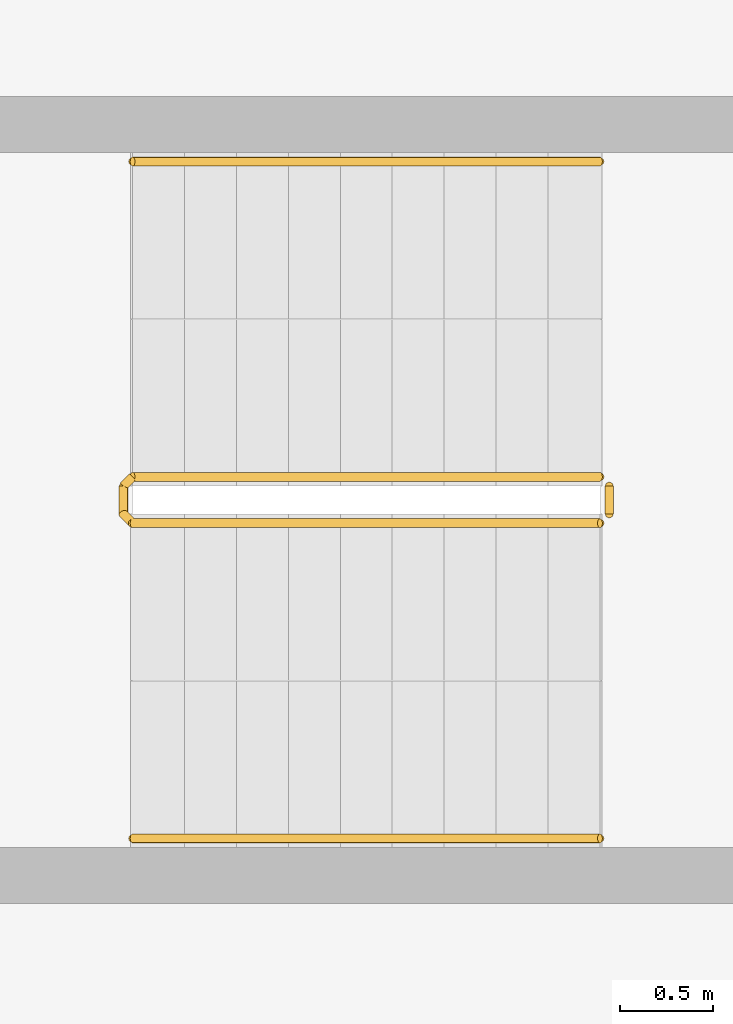
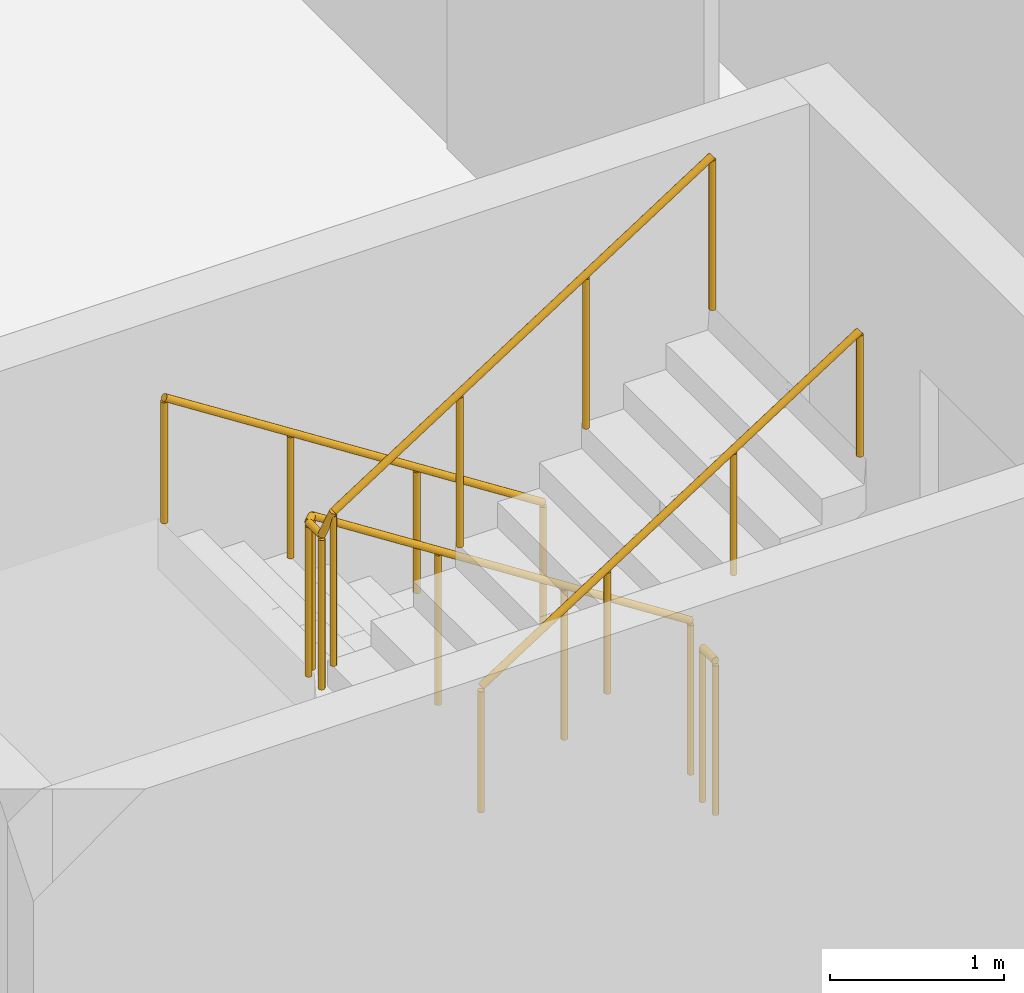
# One storey, part 22 of 25: 4 railings.
"""IFC4 building model written with IfcOpenShell, lengths in metres."""

from ifc_helpers import new_model, si_unit, direction, frame, origin, origin_2d, place, context, subcontext, project, spatial, circle, extrude, material, type_object, element, save


model = new_model("IFC4")

# Units and contexts
model_context = context("Model", 3, precision=1e-05, world=origin(), true_north=direction((0.0, 1.0)))
body_context = subcontext(model_context, "Body", "Model", "MODEL_VIEW")
ifc_project = project(units=[si_unit("LENGTHUNIT", "METRE"), si_unit("AREAUNIT", "SQUARE_METRE"), si_unit("VOLUMEUNIT", "CUBIC_METRE"), si_unit("PLANEANGLEUNIT", "RADIAN"), si_unit("MASSUNIT", "GRAM", prefix="KILO")], contexts=[model_context])

# Site, building, storey
site_placement = place(None, origin())
site = spatial("IfcSite", under=ifc_project, at=site_placement, CompositionType="ELEMENT")
building_placement = place(site_placement, origin())
building = spatial("IfcBuilding", under=site, at=building_placement, Name="Wharfspan Tower", CompositionType="ELEMENT")
storey_placement = place(building_placement, frame((0.0, 0.0, 129.100098)))
storey = spatial("IfcBuildingStorey", under=building, at=storey_placement, Name="L30", CompositionType="ELEMENT", Elevation=129.100098)

# Railings
ifc_material = material(Name="Steel S355J2", Category="steel")
railing_type_1 = type_object("IfcRailingType", Name="Stair guard 1100", PredefinedType="GUARDRAIL", material=ifc_material)
railing_1_placement = place(storey_placement, frame((13.899902, 22.824951, 0.179932)))
element("IfcRailing", 1, at=railing_1_placement, inside=storey, type_object=railing_type_1, Name="L30 ST3 stair guard 1", PredefinedType="GUARDRAIL", context=body_context, shape_type="SweptSolid", body=[
    extrude(circle(Radius=0.023926, at=origin_2d()), frame((0.0, 0.0, 1.076172), z_axis=(-0.8412, 0.0, 0.540725), x_axis=(0.0, -1.0, 0.0)), (0.0, 0.0, 1.0), 2.99585),
    extrude(circle(Radius=0.023926, at=origin_2d()), frame((-2.52002, 0.0, 2.695801), z_axis=(-0.705376, -0.708834, 0.0), x_axis=(0.708834, -0.705376, 0.0)), (0.0, 0.0, 1.0), 0.070557),
    extrude(circle(Radius=0.023926, at=origin_2d()), frame((-2.569824, -0.050049, 2.695801), z_axis=(0.0, -1.0, 0.0), x_axis=(1.0, 0.0, 0.0)), (0.0, 0.0, 1.0), 0.149902),
    extrude(circle(Radius=0.023926, at=origin_2d()), frame((-2.569824, -0.199951, 2.695801), z_axis=(0.257366, -0.258628, 0.931061), x_axis=(0.708838, 0.705372, -2e-06)), (0.0, 0.0, 1.0), 0.193604),
    extrude(circle(Radius=0.023926, at=origin_2d()), frame((-2.52002, -0.25, 2.875977), z_axis=(0.8412, 0.0, 0.540725), x_axis=(0.0, 1.0, 0.0)), (0.0, 0.0, 1.0), 2.99585),
    extrude(circle(Radius=0.020996, at=origin_2d()), origin(), (0.0, 0.0, 1.0), 1.052002),
    extrude(circle(Radius=0.020996, at=origin_2d()), frame((-0.840088, 0.0, 0.540039)), (0.0, 0.0, 1.0), 1.052002),
    extrude(circle(Radius=0.020996, at=origin_2d()), frame((-1.679932, 0.0, 1.079834)), (0.0, 0.0, 1.0), 1.052002),
    extrude(circle(Radius=0.020996, at=origin_2d()), frame((-2.52002, 0.0, 1.619873)), (0.0, 0.0, 1.0), 1.052002),
    extrude(circle(Radius=0.020996, at=origin_2d()), frame((-2.569824, -0.050049, 1.619873)), (0.0, 0.0, 1.0), 1.052002),
    extrude(circle(Radius=0.020996, at=origin_2d()), frame((-2.569824, -0.199951, 1.619873)), (0.0, 0.0, 1.0), 1.052002),
    extrude(circle(Radius=0.020996, at=origin_2d()), frame((-2.52002, -0.25, 1.800049)), (0.0, 0.0, 1.0), 1.052002),
    extrude(circle(Radius=0.020996, at=origin_2d()), frame((-1.679932, -0.25, 2.340088)), (0.0, 0.0, 1.0), 1.052002),
    extrude(circle(Radius=0.020996, at=origin_2d()), frame((-0.840088, -0.25, 2.879883)), (0.0, 0.0, 1.0), 1.052002),
    extrude(circle(Radius=0.020996, at=origin_2d()), frame((0.0, -0.25, 3.419922)), (0.0, 0.0, 1.0), 1.052002),
])
railing_2_placement = place(storey_placement, frame((13.949951, 22.774902, 0.0)))
element("IfcRailing", 2, at=railing_2_placement, inside=storey, type_object=railing_type_1, Name="L30 ST3 stair guard 2", PredefinedType="GUARDRAIL", context=body_context, shape_type="SweptSolid", body=[
    extrude(circle(Radius=0.023926, at=origin_2d()), frame((0.0, 0.0, 1.076172), z_axis=(0.0, -1.0, 0.0), x_axis=(1.0, 0.0, 0.0)), (0.0, 0.0, 1.0), 0.149902),
    extrude(circle(Radius=0.020996, at=origin_2d()), origin(), (0.0, 0.0, 1.0), 1.052002),
    extrude(circle(Radius=0.020996, at=origin_2d()), frame((0.0, -0.149902, 0.0)), (0.0, 0.0, 1.0), 1.052002),
])
railing_type_2 = type_object("IfcRailingType", Name="Stair handrail 900", PredefinedType="HANDRAIL", material=ifc_material)
railing_3_placement = place(storey_placement, frame((13.899902, 24.524902, 0.179932)))
element("IfcRailing", 3, at=railing_3_placement, inside=storey, type_object=railing_type_2, Name="L30 ST3 stair handrail 1", PredefinedType="HANDRAIL", context=body_context, shape_type="SweptSolid", body=[
    extrude(circle(Radius=0.023926, at=origin_2d()), frame((0.0, 0.0, 0.875977), z_axis=(-0.8412, 0.0, 0.540725), x_axis=(0.0, -1.0, 0.0)), (0.0, 0.0, 1.0), 2.99585),
    extrude(circle(Radius=0.020996, at=origin_2d()), origin(), (0.0, 0.0, 1.0), 0.851807),
    extrude(circle(Radius=0.020996, at=origin_2d()), frame((-0.840088, 0.0, 0.540039)), (0.0, 0.0, 1.0), 0.851807),
    extrude(circle(Radius=0.020996, at=origin_2d()), frame((-1.679932, 0.0, 1.079834)), (0.0, 0.0, 1.0), 0.851807),
    extrude(circle(Radius=0.020996, at=origin_2d()), frame((-2.52002, 0.0, 1.619873)), (0.0, 0.0, 1.0), 0.851807),
])
railing_4_placement = place(storey_placement, frame((11.379883, 20.875, 1.97998)))
element("IfcRailing", 4, at=railing_4_placement, inside=storey, type_object=railing_type_2, Name="L30 ST3 stair handrail 2", PredefinedType="HANDRAIL", context=body_context, shape_type="SweptSolid", body=[
    extrude(circle(Radius=0.023926, at=origin_2d()), frame((0.0, 0.0, 0.875977), z_axis=(0.8412, 0.0, 0.540725), x_axis=(0.0, 1.0, 0.0)), (0.0, 0.0, 1.0), 2.99585),
    extrude(circle(Radius=0.020996, at=origin_2d()), origin(), (0.0, 0.0, 1.0), 0.851807),
    extrude(circle(Radius=0.020996, at=origin_2d()), frame((0.840088, 0.0, 0.540039)), (0.0, 0.0, 1.0), 0.851807),
    extrude(circle(Radius=0.020996, at=origin_2d()), frame((1.679932, 0.0, 1.079834)), (0.0, 0.0, 1.0), 0.851807),
    extrude(circle(Radius=0.020996, at=origin_2d()), frame((2.52002, 0.0, 1.619873)), (0.0, 0.0, 1.0), 0.851807),
])

save(model, "model.ifc")
